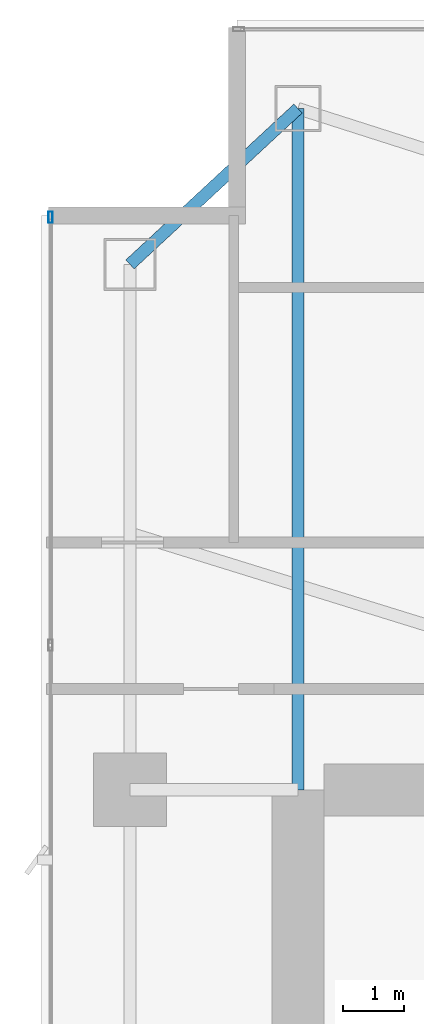
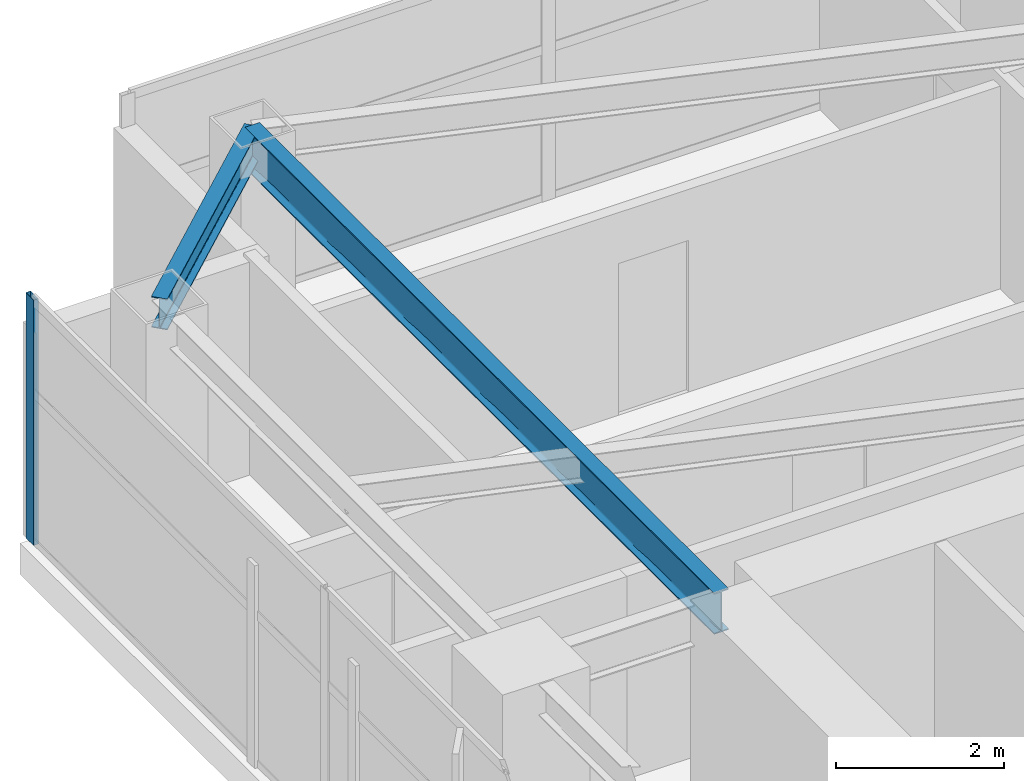
# One storey, part 18 of 30: 2 beams, 1 member, 1 element without a shape of its own.
"""IFC4 building model written with IfcOpenShell, lengths in metres."""

from ifc_helpers import new_model, si_unit, direction, frame, origin, origin_2d, place, context, subcontext, project, spatial, hollow_rectangle, i_section, extrude, material, layer, layer_set, material_profile, profile_set, type_object, element, aggregate, save


model = new_model("IFC4")

# Units and contexts
model_context = context("Model", 3, precision=1e-05, world=origin(), true_north=direction((0.0, 1.0)))
body_context = subcontext(model_context, "Body", "Model", "MODEL_VIEW")
ifc_project = project(units=[si_unit("LENGTHUNIT", "METRE"), si_unit("AREAUNIT", "SQUARE_METRE"), si_unit("VOLUMEUNIT", "CUBIC_METRE"), si_unit("PLANEANGLEUNIT", "RADIAN"), si_unit("MASSUNIT", "GRAM", prefix="KILO")], contexts=[model_context])

# Site, building, storey
site_placement = place(None, origin())
site = spatial("IfcSite", under=ifc_project, at=site_placement, CompositionType="ELEMENT")
building_placement = place(site_placement, origin())
building = spatial("IfcBuilding", under=site, at=building_placement, Name="Calvorn Quay Hotel", CompositionType="ELEMENT")
storey_placement = place(building_placement, frame((0.0, 0.0, 191.300048828125)))
storey = spatial("IfcBuildingStorey", under=building, at=storey_placement, Name="L47", CompositionType="ELEMENT", Elevation=191.300048828125)

# Beams
ifc_material_1 = material(Name="Steel Q355B", Category="steel")
ifc_material_profile_1 = material_profile(ifc_material_1, i_section(OverallWidth=0.199951171875, OverallDepth=0.60009765625, WebThickness=0.010986328125, FlangeThickness=0.01708984375, FilletRadius=0.01806640625, at=origin_2d()), Name="HN600x200x11x17")
ifc_profile_set_1 = profile_set([ifc_material_profile_1], Name="Steel Q355B")
beam_type_1 = type_object("IfcBeamType", Name="BM-GIRD-TYP", PredefinedType="BEAM", material=ifc_profile_set_1)
beam_1_placement = place(storey_placement, frame((4.199951171875, 49.550048828125, 3.239990234375), z_axis=(0.0, -1.0, 0.0), x_axis=(1.0, 0.0, 0.0)))
element("IfcBeam", 1, at=beam_1_placement, inside=storey, type_object=beam_type_1, Name="Beam BG-L47-W5", PredefinedType="BEAM", context=body_context, shape_type="SweptSolid", body=[
    extrude(i_section(OverallWidth=0.199951171875, OverallDepth=0.60009765625, WebThickness=0.010986328125, FlangeThickness=0.01708984375, FilletRadius=0.01806640625, at=origin_2d()), origin(), (0.0, 0.0, 1.0), 11.150146484375),
])
ifc_material_2 = material(Name="Steel Q355B", Category="steel")
ifc_material_profile_2 = material_profile(ifc_material_2, i_section(OverallWidth=0.199951171875, OverallDepth=0.449951171875, WebThickness=0.009033203125, FlangeThickness=0.013916015625, FilletRadius=0.01611328125, at=origin_2d()), Name="HN450x200x9x14")
ifc_profile_set_2 = profile_set([ifc_material_profile_2], Name="Steel Q355B")
beam_type_2 = type_object("IfcBeamType", Name="BM-SPANDREL-Z3", PredefinedType="SPANDREL", material=ifc_profile_set_2)
beam_2_placement = place(storey_placement, frame((1.449951171875, 47.0, 3.31494140625), z_axis=(0.733261665538, 0.679946563969, 0.0), x_axis=(-0.679946563969, 0.733261665538, 0.0)))
element("IfcBeam", 2, at=beam_2_placement, inside=storey, type_object=beam_type_2, Name="Beam BSP-L47-W5", PredefinedType="SPANDREL", context=body_context, shape_type="SweptSolid", body=[
    extrude(i_section(OverallWidth=0.199951171875, OverallDepth=0.449951171875, WebThickness=0.009033203125, FlangeThickness=0.013916015625, FilletRadius=0.01611328125, at=origin_2d()), origin(), (0.0, 0.0, 1.0), 3.75048828125),
])

# Curtain wall, member
ifc_material_3 = material(Name="Champagne Bronze Anodised Aluminium and Low-E Glass", Category="aluminium")
ifc_layer = layer(ifc_material_3, 0.219970703125)
ifc_layer_set = layer_set([ifc_layer], Name="CW-SYS-Z3")
curtain_wall_type = type_object("IfcCurtainWallType", Name="CW-SYS-Z3", PredefinedType="NOTDEFINED", material=ifc_layer_set)
curtain_wall_placement = place(storey_placement, origin())
curtain_wall = element("IfcCurtainWall", 3, at=curtain_wall_placement, inside=storey, type_object=curtain_wall_type, Name="Tower West Curtain Wall (L47)", PredefinedType="NOTDEFINED")
ifc_material_4 = material(Name="Champagne Bronze Anodised Aluminium 6063-T6", Category="aluminium")
ifc_material_profile_3 = material_profile(ifc_material_4, hollow_rectangle(XDim=0.068115234375, YDim=0.18505859375, WallThickness=0.00390625, at=origin_2d()), Name="ALU-M185x68x4")
ifc_profile_set_3 = profile_set([ifc_material_profile_3], Name="Champagne Bronze Anodised Aluminium 6063-T6")
member_type = type_object("IfcMemberType", Name="CW-SYS-Z3-MUL", PredefinedType="MULLION", material=ifc_profile_set_3)
member_placement = place(storey_placement, frame((0.14990234375, 47.77001953125, 0.0), z_axis=(0.0, 0.0, 1.0), x_axis=(-1.0, 0.0, 0.0)))
member = element("IfcMember", 4, at=member_placement, type_object=member_type, Name="CW-L47-W mullion 7", PredefinedType="MULLION", context=body_context, shape_type="SweptSolid", body=[
    extrude(hollow_rectangle(XDim=0.068115234375, YDim=0.18505859375, WallThickness=0.00390625, at=origin_2d()), origin(), (0.0, 0.0, 1.0), 3.56005859375),
])
aggregate(curtain_wall, [member])

save(model, "model.ifc")
